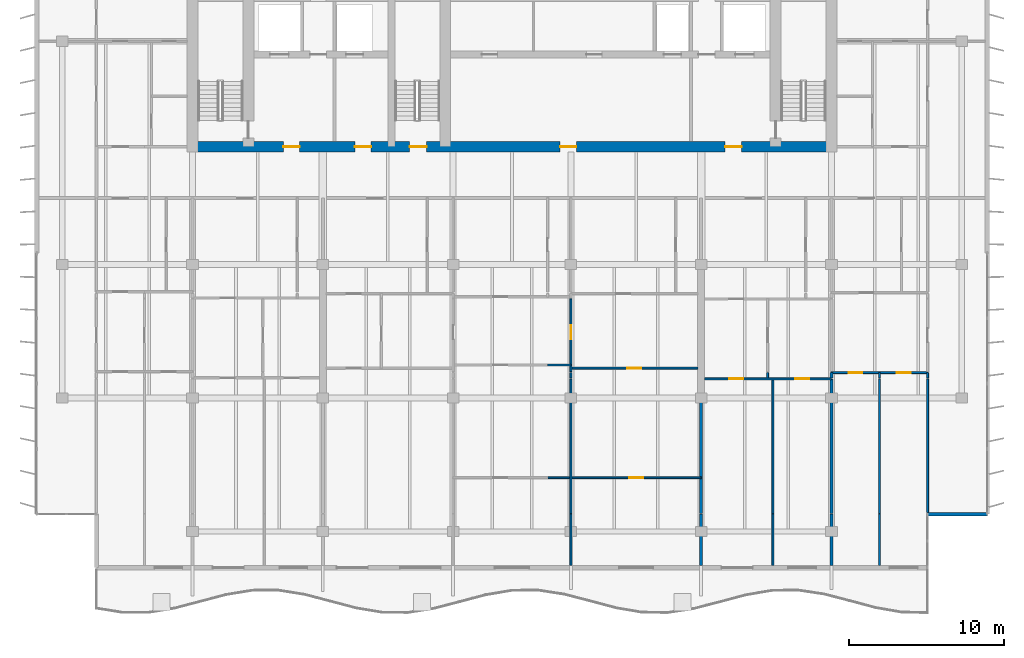
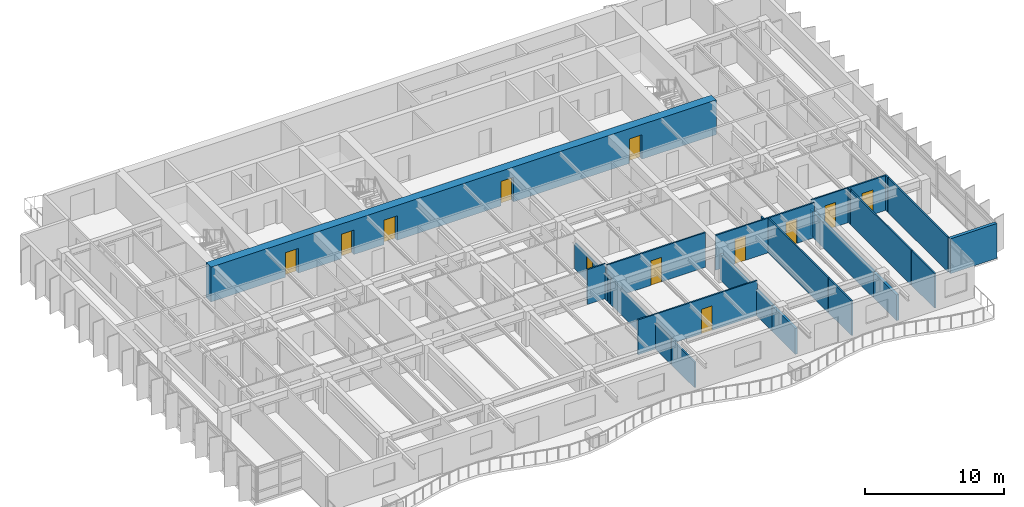
# One storey, part 8 of 17: 24 walls, 12 doors, 12 openings.
"""IFC4 building model written with IfcOpenShell, lengths in metres."""

from ifc_helpers import new_model, si_unit, direction, frame, frame_2d, origin, place, context, subcontext, project, spatial, rectangle, extrude, material, layer, layer_set, type_object, element, fill, save


model = new_model("IFC4")

# Units and contexts
model_context = context("Model", 3, precision=1e-05, world=origin(), true_north=direction((0.0, 1.0)))
body_context = subcontext(model_context, "Body", "Model", "MODEL_VIEW")
ifc_project = project(units=[si_unit("LENGTHUNIT", "METRE"), si_unit("AREAUNIT", "SQUARE_METRE"), si_unit("VOLUMEUNIT", "CUBIC_METRE"), si_unit("PLANEANGLEUNIT", "RADIAN"), si_unit("MASSUNIT", "GRAM", prefix="KILO")], contexts=[model_context])

# Site, building, storey
site_placement = place(None, origin())
site = spatial("IfcSite", under=ifc_project, at=site_placement, CompositionType="ELEMENT")
building_placement = place(site_placement, origin())
building = spatial("IfcBuilding", under=site, at=building_placement, Name="Caelmar Bay Residences", CompositionType="ELEMENT")
storey_placement = place(building_placement, frame((0.0, 0.0, 243.0)))
storey = spatial("IfcBuildingStorey", under=building, at=storey_placement, Name="L68", CompositionType="ELEMENT", Elevation=243.0)

# Wall, openings, doors
ifc_material_1 = material(Name="Concrete f'c 55 MPa (8,000 psi)", Category="concrete")
ifc_layer_1 = layer(ifc_material_1, 0.699951171875)
ifc_layer_set_1 = layer_set([ifc_layer_1], Name="Concrete f'c 55 MPa (8,000 psi)")
wall_type_1 = type_object("IfcWallType", Name="SW-COR-700", PredefinedType="SHEAR", material=ifc_layer_set_1)
wall_1_placement = place(storey_placement, frame((17.949951171875, 37.0, 0.0), z_axis=(0.0, 0.0, 1.0), x_axis=(1.0, 0.0, 0.0)))
wall_1 = element("IfcWall", 1, at=wall_1_placement, inside=storey, type_object=wall_type_1, Name="L68 Rear Core South Shear Wall", PredefinedType="SHEAR", context=body_context, shape_type="SweptSolid", body=[
    extrude(rectangle(XDim=41.900146484375, YDim=0.699951171875, at=frame_2d((20.9501953125, 0.0))), origin(), (0.0, 0.0, 1.0), 3.050048828125),
])
opening_1_placement = place(wall_1_placement, frame((14.35009765625, 0.0, 0.0)))
opening_1 = element("IfcOpeningElement", 2, at=opening_1_placement, cuts=wall_1, Name="Opening D-L68-105", PredefinedType="OPENING", context=body_context, shape_type="SweptSolid", body=[
    extrude(rectangle(XDim=1.10009765625, YDim=2.14990234375, at=frame_2d((0.550048828125, 1.074951171875))), frame((0.0, 0.35986328125, 0.0), z_axis=(0.0, -1.0, 0.0), x_axis=(1.0, 0.0, 0.0)), (0.0, 0.0, 1.0), 0.719970703125),
])
opening_2_placement = place(wall_1_placement, frame((6.199951171875, 0.0, 0.0)))
opening_2 = element("IfcOpeningElement", 3, at=opening_2_placement, cuts=wall_1, Name="Opening D-L68-106", PredefinedType="OPENING", context=body_context, shape_type="SweptSolid", body=[
    extrude(rectangle(XDim=1.050048828125, YDim=2.14990234375, at=frame_2d((0.52490234375, 1.074951171875))), frame((0.0, 0.35986328125, 0.0), z_axis=(0.0, -1.0, 0.0), x_axis=(1.0, 0.0, 0.0)), (0.0, 0.0, 1.0), 0.719970703125),
])
opening_3_placement = place(wall_1_placement, frame((34.699951171875, 0.0, 0.0)))
opening_3 = element("IfcOpeningElement", 4, at=opening_3_placement, cuts=wall_1, Name="Opening D-L68-109", PredefinedType="OPENING", context=body_context, shape_type="SweptSolid", body=[
    extrude(rectangle(XDim=1.050048828125, YDim=2.14990234375, at=frame_2d((0.52490234375, 1.074951171875))), frame((0.0, 0.35986328125, 0.0), z_axis=(0.0, -1.0, 0.0), x_axis=(1.0, 0.0, 0.0)), (0.0, 0.0, 1.0), 0.719970703125),
])
opening_4_placement = place(wall_1_placement, frame((10.8125, 0.0, 0.0)))
opening_4 = element("IfcOpeningElement", 5, at=opening_4_placement, cuts=wall_1, Name="Opening D-L68-112", PredefinedType="OPENING", context=body_context, shape_type="SweptSolid", body=[
    extrude(rectangle(XDim=1.050048828125, YDim=2.14990234375, at=frame_2d((0.52490234375, 1.074951171875))), frame((0.0, 0.35986328125, 0.0), z_axis=(0.0, -1.0, 0.0), x_axis=(1.0, 0.0, 0.0)), (0.0, 0.0, 1.0), 0.719970703125),
])
opening_5_placement = place(wall_1_placement, frame((24.050048828125, 0.0, 0.0)))
opening_5 = element("IfcOpeningElement", 6, at=opening_5_placement, cuts=wall_1, Name="Opening D-L68-113", PredefinedType="OPENING", context=body_context, shape_type="SweptSolid", body=[
    extrude(rectangle(XDim=1.050048828125, YDim=2.14990234375, at=frame_2d((0.52490234375, 1.074951171875))), frame((0.0, 0.35986328125, 0.0), z_axis=(0.0, -1.0, 0.0), x_axis=(1.0, 0.0, 0.0)), (0.0, 0.0, 1.0), 0.719970703125),
])
ifc_material_2 = material(Name="Fire-rated steel and walnut architectural door assembly", Category="steel")
ifc_layer_2 = layer(ifc_material_2, 0.050048828125)
ifc_layer_set_2 = layer_set([ifc_layer_2], Name="Fire-rated steel and walnut architectural door assembly")
door_type_1 = type_object("IfcDoorType", Name="D-FSAE-1050", OperationType="NOTDEFINED", PredefinedType="DOOR", material=ifc_layer_set_2)
door_1_placement = place(opening_2_placement, origin())
door_1 = element("IfcDoor", 7, at=door_1_placement, inside=storey, type_object=door_type_1, Name="L68 Firefighting Lobby West Door", OperationType="SINGLE_SWING_RIGHT", OverallHeight=2.14990234375, OverallWidth=1.050048828125, PredefinedType="DOOR", context=body_context, shape_type="SweptSolid", body=[
    extrude(rectangle(XDim=1.050048828125, YDim=2.14990234375, at=frame_2d((0.52490234375, 1.074951171875))), frame((0.0, 0.02490234375, 0.0), z_axis=(0.0, -1.0, 0.0), x_axis=(1.0, 0.0, 0.0)), (0.0, 0.0, 1.0), 0.050048828125),
])
fill(opening_2, door_1)
door_2_placement = place(opening_3_placement, origin())
door_2 = element("IfcDoor", 8, at=door_2_placement, inside=storey, type_object=door_type_1, Name="L68 Firefighting Lobby East Door", OperationType="SINGLE_SWING_LEFT", OverallHeight=2.14990234375, OverallWidth=1.050048828125, PredefinedType="DOOR", context=body_context, shape_type="SweptSolid", body=[
    extrude(rectangle(XDim=1.050048828125, YDim=2.14990234375, at=frame_2d((0.52490234375, 1.074951171875))), frame((0.0, 0.02490234375, 0.0), z_axis=(0.0, -1.0, 0.0), x_axis=(1.0, 0.0, 0.0)), (0.0, 0.0, 1.0), 0.050048828125),
])
fill(opening_3, door_2)
door_3_placement = place(opening_4_placement, origin())
door_3 = element("IfcDoor", 9, at=door_3_placement, inside=storey, type_object=door_type_1, Name="L68 West Lift Lobby Door", OperationType="SINGLE_SWING_RIGHT", OverallHeight=2.14990234375, OverallWidth=1.050048828125, PredefinedType="DOOR", context=body_context, shape_type="SweptSolid", body=[
    extrude(rectangle(XDim=1.050048828125, YDim=2.14990234375, at=frame_2d((0.52490234375, 1.074951171875))), frame((0.0, 0.02490234375, 0.0), z_axis=(0.0, -1.0, 0.0), x_axis=(1.0, 0.0, 0.0)), (0.0, 0.0, 1.0), 0.050048828125),
])
fill(opening_4, door_3)
door_4_placement = place(opening_5_placement, origin())
door_4 = element("IfcDoor", 10, at=door_4_placement, inside=storey, type_object=door_type_1, Name="L68 Passenger Lift Lobby Door", OperationType="SINGLE_SWING_LEFT", OverallHeight=2.14990234375, OverallWidth=1.050048828125, PredefinedType="DOOR", context=body_context, shape_type="SweptSolid", body=[
    extrude(rectangle(XDim=1.050048828125, YDim=2.14990234375, at=frame_2d((0.52490234375, 1.074951171875))), frame((0.0, 0.02490234375, 0.0), z_axis=(0.0, -1.0, 0.0), x_axis=(1.0, 0.0, 0.0)), (0.0, 0.0, 1.0), 0.050048828125),
])
fill(opening_5, door_4)
ifc_layer_3 = layer(ifc_material_2, 0.050048828125)
ifc_layer_set_3 = layer_set([ifc_layer_3], Name="Fire-rated steel and walnut architectural door assembly")
door_type_2 = type_object("IfcDoorType", Name="D-STAIR-1100", OperationType="NOTDEFINED", PredefinedType="DOOR", material=ifc_layer_set_3)
door_5_placement = place(opening_1_placement, origin())
door_5 = element("IfcDoor", 11, at=door_5_placement, inside=storey, type_object=door_type_2, Name="L68 Exit Stair ST3 Door", OperationType="SINGLE_SWING_LEFT", OverallHeight=2.14990234375, OverallWidth=1.10009765625, PredefinedType="DOOR", context=body_context, shape_type="SweptSolid", body=[
    extrude(rectangle(XDim=1.10009765625, YDim=2.14990234375, at=frame_2d((0.550048828125, 1.074951171875))), frame((0.0, 0.02490234375, 0.0), z_axis=(0.0, -1.0, 0.0), x_axis=(1.0, 0.0, 0.0)), (0.0, 0.0, 1.0), 0.050048828125),
])
fill(opening_1, door_5)

# Walls
ifc_material_3 = material(Name="Precast concrete f'c 40 MPa (6,000 psi)", Category="concrete")
ifc_layer_4 = layer(ifc_material_3, 0.25)
ifc_layer_set_4 = layer_set([ifc_layer_4], Name="Precast concrete f'c 40 MPa (6,000 psi)")
wall_type_2 = type_object("IfcWallType", Name="W-EXT-250", PredefinedType="ELEMENTEDWALL", material=ifc_layer_set_4)
wall_2_placement = place(storey_placement, frame((65.699951171875, 13.300048828125, 0.0), z_axis=(0.0, 0.0, 1.0), x_axis=(1.0, 0.0, 0.0)))
element("IfcWall", 12, at=wall_2_placement, inside=storey, type_object=wall_type_2, Name="L68 SE Notch Return Wall", PredefinedType="ELEMENTEDWALL", context=body_context, shape_type="SweptSolid", body=[
    extrude(rectangle(XDim=3.85009765625, YDim=0.25, at=frame_2d((1.925048828125, 0.0))), origin(), (0.0, 0.0, 1.0), 3.050048828125),
])
ifc_material_4 = material(Name="Acoustic metal-stud gypsum partition 120 mm")
ifc_layer_5 = layer(ifc_material_4, 0.1201171875)
ifc_layer_set_5 = layer_set([ifc_layer_5], Name="Acoustic metal-stud gypsum partition 120 mm")
wall_type_3 = type_object("IfcWallType", Name="W-PRT-120", PredefinedType="PARTITIONING", material=ifc_layer_set_5)
wall_3_placement = place(storey_placement, frame((42.699951171875, 9.9951171875, 0.0), z_axis=(0.0, 0.0, 1.0), x_axis=(0.0, 1.0, 0.0)))
element("IfcWall", 13, at=wall_3_placement, inside=storey, type_object=wall_type_3, Name="L68 Partition Wall V048", PredefinedType="PARTITIONING", context=body_context, shape_type="SweptSolid", body=[
    extrude(rectangle(XDim=3.304931640625, YDim=0.1201171875, at=frame_2d((1.65234375, 0.0))), origin(), (0.0, 0.0, 1.0), 2.262939453125),
])
wall_4_placement = place(storey_placement, frame((42.699951171875, 13.340087890625, 0.0), z_axis=(0.0, 0.0, 1.0), x_axis=(0.0, 1.0, 0.0)))
element("IfcWall", 14, at=wall_4_placement, inside=storey, type_object=wall_type_3, Name="L68 Partition Wall V049", PredefinedType="PARTITIONING", context=body_context, shape_type="SweptSolid", body=[
    extrude(rectangle(XDim=8.68994140625, YDim=0.1201171875, at=frame_2d((4.344970703125, 0.0))), origin(), (0.0, 0.0, 1.0), 2.262939453125),
])
wall_5_placement = place(storey_placement, frame((42.699951171875, 22.090087890625, 0.0), z_axis=(0.0, 0.0, 1.0), x_axis=(0.0, 1.0, 0.0)))
element("IfcWall", 15, at=wall_5_placement, inside=storey, type_object=wall_type_3, Name="L68 Partition Wall V050", PredefinedType="PARTITIONING", context=body_context, shape_type="SweptSolid", body=[
    extrude(rectangle(XDim=0.33984375, YDim=0.1201171875, at=frame_2d((0.169921875, 0.0))), origin(), (0.0, 0.0, 1.0), 2.262939453125),
])

# Wall, opening, door
wall_6_placement = place(storey_placement, frame((42.699951171875, 22.489990234375, 0.0), z_axis=(0.0, 0.0, 1.0), x_axis=(0.0, 1.0, 0.0)))
wall_6 = element("IfcWall", 16, at=wall_6_placement, inside=storey, type_object=wall_type_3, Name="L68 Partition Wall V051", PredefinedType="PARTITIONING", context=body_context, shape_type="SweptSolid", body=[
    extrude(rectangle(XDim=4.68994140625, YDim=0.1201171875, at=frame_2d((2.344970703125, 0.0))), origin(), (0.0, 0.0, 1.0), 2.262939453125),
])
opening_6_placement = place(wall_6_placement, frame((2.110107421875, 0.0, 0.0)))
opening_6 = element("IfcOpeningElement", 17, at=opening_6_placement, cuts=wall_6, Name="Opening D-L68-144", PredefinedType="OPENING", context=body_context, shape_type="SweptSolid", body=[
    extrude(rectangle(XDim=0.89990234375, YDim=2.14990234375, at=frame_2d((0.449951171875, 1.074951171875))), frame((0.0, 0.070068359375, 0.0), z_axis=(0.0, -1.0, 0.0), x_axis=(1.0, 0.0, 0.0)), (0.0, 0.0, 1.0), 0.14013671875),
])
ifc_material_5 = material(Name="Solid walnut timber interior door leaf and frame", Category="wood")
ifc_layer_6 = layer(ifc_material_5, 0.050048828125)
ifc_layer_set_6 = layer_set([ifc_layer_6], Name="Solid walnut timber interior door leaf and frame")
door_type_3 = type_object("IfcDoorType", Name="D-ROOM-900", OperationType="NOTDEFINED", PredefinedType="DOOR", material=ifc_layer_set_6)
door_6_placement = place(opening_6_placement, origin())
door_6 = element("IfcDoor", 18, at=door_6_placement, inside=storey, type_object=door_type_3, Name="L68 Residence 03 Formal Dining Room 2 Door", OperationType="SINGLE_SWING_RIGHT", OverallHeight=2.14990234375, OverallWidth=0.89990234375, PredefinedType="DOOR", context=body_context, shape_type="SweptSolid", body=[
    extrude(rectangle(XDim=0.89990234375, YDim=2.14990234375, at=frame_2d((0.449951171875, 1.074951171875))), frame((0.0, 0.02490234375, 0.0), z_axis=(0.0, -1.0, 0.0), x_axis=(1.0, 0.0, 0.0)), (0.0, 0.0, 1.0), 0.050048828125),
])
fill(opening_6, door_6)

# Walls
wall_7_placement = place(storey_placement, frame((55.385986328125, 22.090087890625, 0.0), z_axis=(0.0, 0.0, 1.0), x_axis=(0.0, 1.0, 0.0)))
element("IfcWall", 19, at=wall_7_placement, inside=storey, type_object=wall_type_3, Name="L68 Partition Wall V064", PredefinedType="PARTITIONING", context=body_context, shape_type="SweptSolid", body=[
    extrude(rectangle(XDim=0.33984375, YDim=0.1201171875, at=frame_2d((0.169921875, 0.0))), origin(), (0.0, 0.0, 1.0), 3.050048828125),
])
wall_8_placement = place(storey_placement, frame((55.719970703125, 9.9951171875, 0.0), z_axis=(0.0, 0.0, 1.0), x_axis=(0.0, 1.0, 0.0)))
element("IfcWall", 20, at=wall_8_placement, inside=storey, type_object=wall_type_3, Name="L68 Partition Wall V066", PredefinedType="PARTITIONING", context=body_context, shape_type="SweptSolid", body=[
    extrude(rectangle(XDim=3.304931640625, YDim=0.1201171875, at=frame_2d((1.65234375, 0.0))), origin(), (0.0, 0.0, 1.0), 3.050048828125),
])
wall_9_placement = place(storey_placement, frame((55.719970703125, 13.340087890625, 0.0), z_axis=(0.0, 0.0, 1.0), x_axis=(0.0, 1.0, 0.0)))
element("IfcWall", 21, at=wall_9_placement, inside=storey, type_object=wall_type_3, Name="L68 Partition Wall V067", PredefinedType="PARTITIONING", context=body_context, shape_type="SweptSolid", body=[
    extrude(rectangle(XDim=8.68994140625, YDim=0.1201171875, at=frame_2d((4.344970703125, 0.0))), origin(), (0.0, 0.0, 1.0), 3.050048828125),
])
wall_10_placement = place(storey_placement, frame((62.60009765625, 9.9951171875, 0.0), z_axis=(0.0, 0.0, 1.0), x_axis=(0.0, 1.0, 0.0)))
element("IfcWall", 22, at=wall_10_placement, inside=storey, type_object=wall_type_3, Name="L68 Partition Wall V078", PredefinedType="PARTITIONING", context=body_context, shape_type="SweptSolid", body=[
    extrude(rectangle(XDim=3.304931640625, YDim=0.1201171875, at=frame_2d((1.65234375, 0.0))), origin(), (0.0, 0.0, 1.0), 3.050048828125),
])
wall_11_placement = place(storey_placement, frame((62.60009765625, 13.340087890625, 0.0), z_axis=(0.0, 0.0, 1.0), x_axis=(0.0, 1.0, 0.0)))
element("IfcWall", 23, at=wall_11_placement, inside=storey, type_object=wall_type_3, Name="L68 Partition Wall V079", PredefinedType="PARTITIONING", context=body_context, shape_type="SweptSolid", body=[
    extrude(rectangle(XDim=8.68994140625, YDim=0.1201171875, at=frame_2d((4.344970703125, 0.0))), origin(), (0.0, 0.0, 1.0), 3.050048828125),
])
wall_12_placement = place(storey_placement, frame((62.60009765625, 22.090087890625, 0.0), z_axis=(0.0, 0.0, 1.0), x_axis=(0.0, 1.0, 0.0)))
element("IfcWall", 24, at=wall_12_placement, inside=storey, type_object=wall_type_3, Name="L68 Partition Wall V080", PredefinedType="PARTITIONING", context=body_context, shape_type="SweptSolid", body=[
    extrude(rectangle(XDim=0.33984375, YDim=0.1201171875, at=frame_2d((0.169921875, 0.0))), origin(), (0.0, 0.0, 1.0), 3.050048828125),
])
wall_13_placement = place(storey_placement, frame((65.699951171875, 13.419921875, 0.0), z_axis=(0.0, 0.0, 1.0), x_axis=(0.0, 1.0, 0.0)))
element("IfcWall", 25, at=wall_13_placement, inside=storey, type_object=wall_type_3, Name="L68 Partition Wall V082", PredefinedType="PARTITIONING", context=body_context, shape_type="SweptSolid", body=[
    extrude(rectangle(XDim=8.610107421875, YDim=0.1201171875, at=frame_2d((4.30517578125, 0.0))), origin(), (0.0, 0.0, 1.0), 3.050048828125),
])
wall_14_placement = place(storey_placement, frame((65.699951171875, 22.090087890625, 0.0), z_axis=(0.0, 0.0, 1.0), x_axis=(0.0, 1.0, 0.0)))
element("IfcWall", 26, at=wall_14_placement, inside=storey, type_object=wall_type_3, Name="L68 Partition Wall V083", PredefinedType="PARTITIONING", context=body_context, shape_type="SweptSolid", body=[
    extrude(rectangle(XDim=0.33984375, YDim=0.1201171875, at=frame_2d((0.169921875, 0.0))), origin(), (0.0, 0.0, 1.0), 3.050048828125),
])

# Wall, opening, door
wall_15_placement = place(storey_placement, frame((41.199951171875, 15.64990234375, 0.0), z_axis=(0.0, 0.0, 1.0), x_axis=(1.0, 0.0, 0.0)))
wall_15 = element("IfcWall", 27, at=wall_15_placement, inside=storey, type_object=wall_type_3, Name="L68 Partition Wall H090", PredefinedType="PARTITIONING", context=body_context, shape_type="SweptSolid", body=[
    extrude(rectangle(XDim=9.900146484375, YDim=0.1201171875, at=frame_2d((4.9501953125, 0.0))), origin(), (0.0, 0.0, 1.0), 3.050048828125),
])
opening_7_placement = place(wall_15_placement, frame((5.25, 0.0, 0.0)))
opening_7 = element("IfcOpeningElement", 28, at=opening_7_placement, cuts=wall_15, Name="Opening D-L68-148", PredefinedType="OPENING", context=body_context, shape_type="SweptSolid", body=[
    extrude(rectangle(XDim=0.89990234375, YDim=2.14990234375, at=frame_2d((0.449951171875, 1.074951171875))), frame((0.0, 0.070068359375, 0.0), z_axis=(0.0, -1.0, 0.0), x_axis=(1.0, 0.0, 0.0)), (0.0, 0.0, 1.0), 0.14013671875),
])
door_7_placement = place(opening_7_placement, origin())
door_7 = element("IfcDoor", 29, at=door_7_placement, inside=storey, type_object=door_type_3, Name="L68 Residence 03 Primary Bedroom 2 Door", OperationType="SINGLE_SWING_RIGHT", OverallHeight=2.14990234375, OverallWidth=0.89990234375, PredefinedType="DOOR", context=body_context, shape_type="SweptSolid", body=[
    extrude(rectangle(XDim=0.89990234375, YDim=2.14990234375, at=frame_2d((0.449951171875, 1.074951171875))), frame((0.0, 0.02490234375, 0.0), z_axis=(0.0, -1.0, 0.0), x_axis=(1.0, 0.0, 0.0)), (0.0, 0.0, 1.0), 0.050048828125),
])
fill(opening_7, door_7)

# Wall, openings, doors
wall_16_placement = place(storey_placement, frame((51.320068359375, 22.030029296875, 0.0), z_axis=(0.0, 0.0, 1.0), x_axis=(1.0, 0.0, 0.0)))
wall_16 = element("IfcWall", 30, at=wall_16_placement, inside=storey, type_object=wall_type_3, Name="L68 Partition Wall H091", PredefinedType="PARTITIONING", context=body_context, shape_type="SweptSolid", body=[
    extrude(rectangle(XDim=8.179931640625, YDim=0.1201171875, at=frame_2d((4.08984375, 0.0))), origin(), (0.0, 0.0, 1.0), 3.050048828125),
])
opening_8_placement = place(wall_16_placement, frame((1.5830078125, 0.0, 0.0)))
opening_8 = element("IfcOpeningElement", 31, at=opening_8_placement, cuts=wall_16, Name="Opening D-L68-153", PredefinedType="OPENING", context=body_context, shape_type="SweptSolid", body=[
    extrude(rectangle(XDim=0.89990234375, YDim=2.14990234375, at=frame_2d((0.449951171875, 1.074951171875))), frame((0.0, 0.070068359375, 0.0), z_axis=(0.0, -1.0, 0.0), x_axis=(1.0, 0.0, 0.0)), (0.0, 0.0, 1.0), 0.14013671875),
])
opening_9_placement = place(wall_16_placement, frame((5.840087890625, 0.0, 0.0)))
opening_9 = element("IfcOpeningElement", 32, at=opening_9_placement, cuts=wall_16, Name="Opening D-L68-154", PredefinedType="OPENING", context=body_context, shape_type="SweptSolid", body=[
    extrude(rectangle(XDim=0.89990234375, YDim=2.14990234375, at=frame_2d((0.449951171875, 1.074951171875))), frame((0.0, 0.070068359375, 0.0), z_axis=(0.0, -1.0, 0.0), x_axis=(1.0, 0.0, 0.0)), (0.0, 0.0, 1.0), 0.14013671875),
])
door_8_placement = place(opening_8_placement, origin())
door_8 = element("IfcDoor", 33, at=door_8_placement, inside=storey, type_object=door_type_3, Name="L68 Residence 04 Living Room Door", OperationType="SINGLE_SWING_LEFT", OverallHeight=2.14990234375, OverallWidth=0.89990234375, PredefinedType="DOOR", context=body_context, shape_type="SweptSolid", body=[
    extrude(rectangle(XDim=0.89990234375, YDim=2.14990234375, at=frame_2d((0.449951171875, 1.074951171875))), frame((0.0, 0.02490234375, 0.0), z_axis=(0.0, -1.0, 0.0), x_axis=(1.0, 0.0, 0.0)), (0.0, 0.0, 1.0), 0.050048828125),
])
fill(opening_8, door_8)
door_9_placement = place(opening_9_placement, origin())
door_9 = element("IfcDoor", 34, at=door_9_placement, inside=storey, type_object=door_type_3, Name="L68 Residence 04 Primary Bedroom Door", OperationType="SINGLE_SWING_RIGHT", OverallHeight=2.14990234375, OverallWidth=0.89990234375, PredefinedType="DOOR", context=body_context, shape_type="SweptSolid", body=[
    extrude(rectangle(XDim=0.89990234375, YDim=2.14990234375, at=frame_2d((0.449951171875, 1.074951171875))), frame((0.0, 0.02490234375, 0.0), z_axis=(0.0, -1.0, 0.0), x_axis=(1.0, 0.0, 0.0)), (0.0, 0.0, 1.0), 0.050048828125),
])
fill(opening_9, door_9)

wall_17_placement = place(storey_placement, frame((59.5, 22.429931640625, 0.0), z_axis=(0.0, 0.0, 1.0), x_axis=(1.0, 0.0, 0.0)))
wall_17 = element("IfcWall", 35, at=wall_17_placement, inside=storey, type_object=wall_type_3, Name="L68 Partition Wall H093", PredefinedType="PARTITIONING", context=body_context, shape_type="SweptSolid", body=[
    extrude(rectangle(XDim=6.199951171875, YDim=0.1201171875, at=frame_2d((3.10009765625, 0.0))), origin(), (0.0, 0.0, 1.0), 3.050048828125),
])
opening_10_placement = place(wall_17_placement, frame((1.10009765625, 0.0, 0.0)))
opening_10 = element("IfcOpeningElement", 36, at=opening_10_placement, cuts=wall_17, Name="Opening D-L68-158", PredefinedType="OPENING", context=body_context, shape_type="SweptSolid", body=[
    extrude(rectangle(XDim=0.89990234375, YDim=2.14990234375, at=frame_2d((0.449951171875, 1.074951171875))), frame((0.0, 0.070068359375, 0.0), z_axis=(0.0, -1.0, 0.0), x_axis=(1.0, 0.0, 0.0)), (0.0, 0.0, 1.0), 0.14013671875),
])
opening_11_placement = place(wall_17_placement, frame((4.199951171875, 0.0, 0.0)))
opening_11 = element("IfcOpeningElement", 37, at=opening_11_placement, cuts=wall_17, Name="Opening D-L68-159", PredefinedType="OPENING", context=body_context, shape_type="SweptSolid", body=[
    extrude(rectangle(XDim=0.89990234375, YDim=2.14990234375, at=frame_2d((0.449951171875, 1.074951171875))), frame((0.0, 0.070068359375, 0.0), z_axis=(0.0, -1.0, 0.0), x_axis=(1.0, 0.0, 0.0)), (0.0, 0.0, 1.0), 0.14013671875),
])
door_10_placement = place(opening_10_placement, origin())
door_10 = element("IfcDoor", 38, at=door_10_placement, inside=storey, type_object=door_type_3, Name="L68 Residence 05 Living Room Door", OperationType="SINGLE_SWING_RIGHT", OverallHeight=2.14990234375, OverallWidth=0.89990234375, PredefinedType="DOOR", context=body_context, shape_type="SweptSolid", body=[
    extrude(rectangle(XDim=0.89990234375, YDim=2.14990234375, at=frame_2d((0.449951171875, 1.074951171875))), frame((0.0, 0.02490234375, 0.0), z_axis=(0.0, -1.0, 0.0), x_axis=(1.0, 0.0, 0.0)), (0.0, 0.0, 1.0), 0.050048828125),
])
fill(opening_10, door_10)
door_11_placement = place(opening_11_placement, origin())
door_11 = element("IfcDoor", 39, at=door_11_placement, inside=storey, type_object=door_type_3, Name="L68 Residence 05 Primary Bedroom Door", OperationType="SINGLE_SWING_LEFT", OverallHeight=2.14990234375, OverallWidth=0.89990234375, PredefinedType="DOOR", context=body_context, shape_type="SweptSolid", body=[
    extrude(rectangle(XDim=0.89990234375, YDim=2.14990234375, at=frame_2d((0.449951171875, 1.074951171875))), frame((0.0, 0.02490234375, 0.0), z_axis=(0.0, -1.0, 0.0), x_axis=(1.0, 0.0, 0.0)), (0.0, 0.0, 1.0), 0.050048828125),
])
fill(opening_11, door_11)

# Wall, opening, door
wall_18_placement = place(storey_placement, frame((42.699951171875, 22.719970703125, 0.0), z_axis=(0.0, 0.0, 1.0), x_axis=(1.0, 0.0, 0.0)))
wall_18 = element("IfcWall", 40, at=wall_18_placement, inside=storey, type_object=wall_type_3, Name="L68 Partition Wall H097", PredefinedType="PARTITIONING", context=body_context, shape_type="SweptSolid", body=[
    extrude(rectangle(XDim=8.179931640625, YDim=0.1201171875, at=frame_2d((4.08984375, 0.0))), origin(), (0.0, 0.0, 1.0), 3.050048828125),
])
opening_12_placement = place(wall_18_placement, frame((3.639892578125, 0.0, 0.0)))
opening_12 = element("IfcOpeningElement", 41, at=opening_12_placement, cuts=wall_18, Name="Opening D-L68-147", PredefinedType="OPENING", context=body_context, shape_type="SweptSolid", body=[
    extrude(rectangle(XDim=0.89990234375, YDim=2.14990234375, at=frame_2d((0.449951171875, 1.074951171875))), frame((0.0, 0.070068359375, 0.0), z_axis=(0.0, -1.0, 0.0), x_axis=(1.0, 0.0, 0.0)), (0.0, 0.0, 1.0), 0.14013671875),
])
door_12_placement = place(opening_12_placement, origin())
door_12 = element("IfcDoor", 42, at=door_12_placement, inside=storey, type_object=door_type_3, Name="L68 Residence 03 Penthouse Sitting Salon 2 Door", OperationType="SINGLE_SWING_LEFT", OverallHeight=2.14990234375, OverallWidth=0.89990234375, PredefinedType="DOOR", context=body_context, shape_type="SweptSolid", body=[
    extrude(rectangle(XDim=0.89990234375, YDim=2.14990234375, at=frame_2d((0.449951171875, 1.074951171875))), frame((0.0, 0.02490234375, 0.0), z_axis=(0.0, -1.0, 0.0), x_axis=(1.0, 0.0, 0.0)), (0.0, 0.0, 1.0), 0.050048828125),
])
fill(opening_12, door_12)

# Walls
wall_19_placement = place(storey_placement, frame((41.199951171875, 22.919921875, 0.0), z_axis=(0.0, 0.0, 1.0), x_axis=(1.0, 0.0, 0.0)))
element("IfcWall", 43, at=wall_19_placement, inside=storey, type_object=wall_type_3, Name="L68 Partition Wall H099", PredefinedType="PARTITIONING", context=body_context, shape_type="SweptSolid", body=[
    extrude(rectangle(XDim=1.5, YDim=0.1201171875, at=frame_2d((0.75, 0.0))), origin(), (0.0, 0.0, 1.0), 3.050048828125),
])
ifc_material_6 = material(Name="Acoustic twin-stud fire-rated inter-tenancy partition 200 mm")
ifc_layer_7 = layer(ifc_material_6, 0.199951171875)
ifc_layer_set_7 = layer_set([ifc_layer_7], Name="Acoustic twin-stud fire-rated inter-tenancy partition 200 mm")
wall_type_4 = type_object("IfcWallType", Name="W-PTY-200", PredefinedType="PARTITIONING", material=ifc_layer_set_7)
wall_20_placement = place(storey_placement, frame((51.10009765625, 9.9951171875, 0.0), z_axis=(0.0, 0.0, 1.0), x_axis=(0.0, 1.0, 0.0)))
element("IfcWall", 44, at=wall_20_placement, inside=storey, type_object=wall_type_4, Name="L68 Partition Wall V060", PredefinedType="PARTITIONING", context=body_context, shape_type="SweptSolid", body=[
    extrude(rectangle(XDim=3.304931640625, YDim=0.199951171875, at=frame_2d((1.65234375, 0.0))), origin(), (0.0, 0.0, 1.0), 2.262939453125),
])
wall_21_placement = place(storey_placement, frame((51.10009765625, 13.340087890625, 0.0), z_axis=(0.0, 0.0, 1.0), x_axis=(0.0, 1.0, 0.0)))
element("IfcWall", 45, at=wall_21_placement, inside=storey, type_object=wall_type_4, Name="L68 Partition Wall V061", PredefinedType="PARTITIONING", context=body_context, shape_type="SweptSolid", body=[
    extrude(rectangle(XDim=7.454833984375, YDim=0.199951171875, at=frame_2d((3.7275390625, 0.0))), origin(), (0.0, 0.0, 1.0), 2.262939453125),
])
wall_22_placement = place(storey_placement, frame((59.5, 9.9951171875, 0.0), z_axis=(0.0, 0.0, 1.0), x_axis=(0.0, 1.0, 0.0)))
element("IfcWall", 46, at=wall_22_placement, inside=storey, type_object=wall_type_4, Name="L68 Partition Wall V071", PredefinedType="PARTITIONING", context=body_context, shape_type="SweptSolid", body=[
    extrude(rectangle(XDim=3.304931640625, YDim=0.199951171875, at=frame_2d((1.65234375, 0.0))), origin(), (0.0, 0.0, 1.0), 2.262939453125),
])
wall_23_placement = place(storey_placement, frame((59.5, 13.340087890625, 0.0), z_axis=(0.0, 0.0, 1.0), x_axis=(0.0, 1.0, 0.0)))
element("IfcWall", 47, at=wall_23_placement, inside=storey, type_object=wall_type_4, Name="L68 Partition Wall V072", PredefinedType="PARTITIONING", context=body_context, shape_type="SweptSolid", body=[
    extrude(rectangle(XDim=8.68994140625, YDim=0.199951171875, at=frame_2d((4.344970703125, 0.0))), origin(), (0.0, 0.0, 1.0), 2.262939453125),
])
wall_24_placement = place(storey_placement, frame((59.5, 22.090087890625, 0.0), z_axis=(0.0, 0.0, 1.0), x_axis=(0.0, 1.0, 0.0)))
element("IfcWall", 48, at=wall_24_placement, inside=storey, type_object=wall_type_4, Name="L68 Partition Wall V073", PredefinedType="PARTITIONING", context=body_context, shape_type="SweptSolid", body=[
    extrude(rectangle(XDim=0.33984375, YDim=0.199951171875, at=frame_2d((0.169921875, 0.0))), origin(), (0.0, 0.0, 1.0), 2.262939453125),
])

save(model, "model.ifc")
